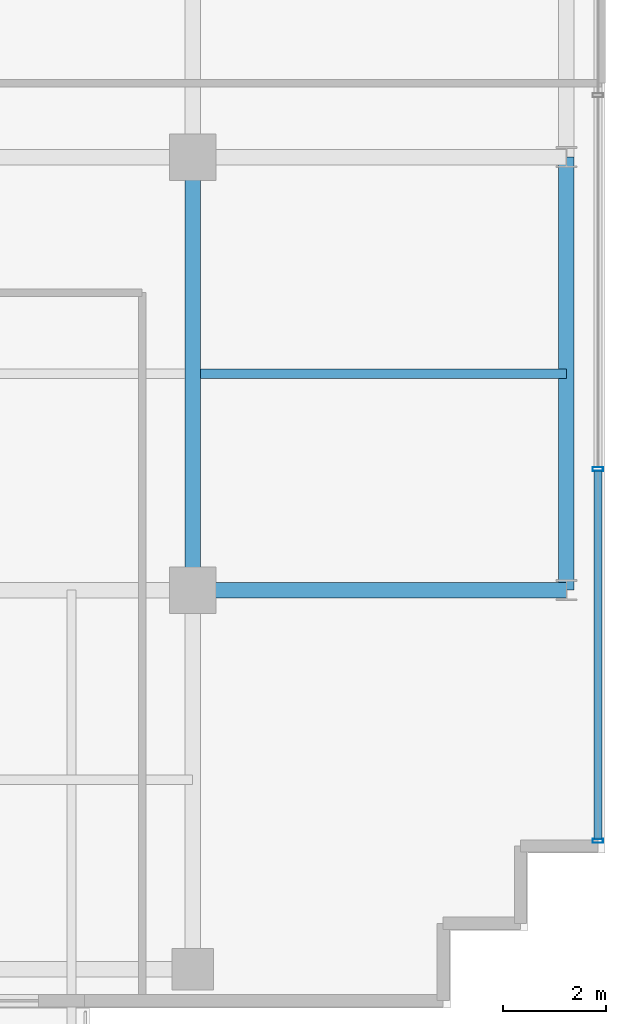
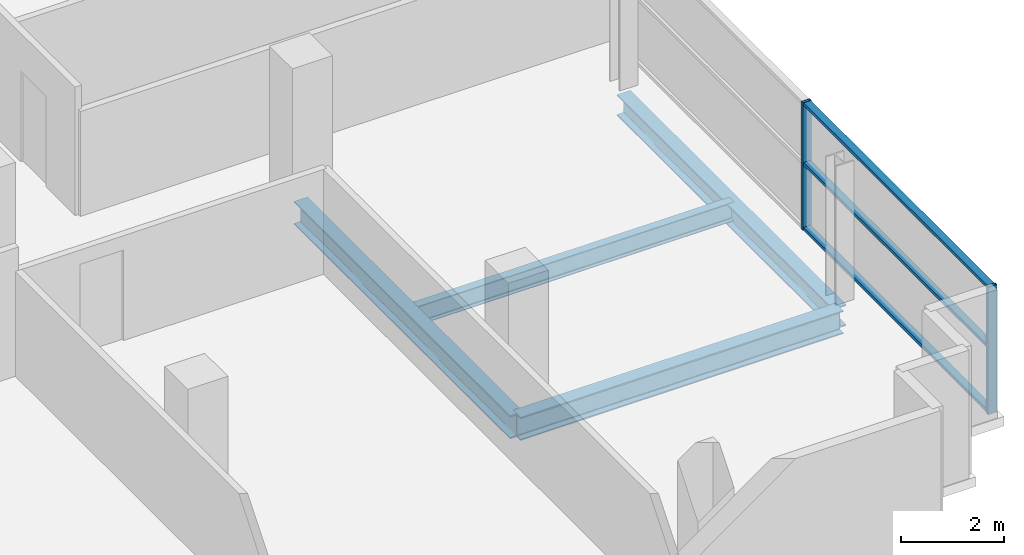
# One storey, part 7 of 22: 5 members, 4 beams, 1 element without a shape of its own.
"""IFC4 building model written with IfcOpenShell, lengths in metres."""

from ifc_helpers import new_model, si_unit, direction, frame, origin, origin_2d, place, context, subcontext, project, spatial, hollow_rectangle, i_section, extrude, source, transform, mapped, material, layer, layer_set, material_profile, profile_set, type_object, element, aggregate, save


model = new_model("IFC4")

# Units and contexts
model_context = context("Model", 3, precision=1e-05, world=origin(), true_north=direction((0.0, 1.0)))
body_context = subcontext(model_context, "Body", "Model", "MODEL_VIEW")
ifc_project = project(units=[si_unit("LENGTHUNIT", "METRE"), si_unit("AREAUNIT", "SQUARE_METRE"), si_unit("VOLUMEUNIT", "CUBIC_METRE"), si_unit("PLANEANGLEUNIT", "RADIAN"), si_unit("MASSUNIT", "GRAM", prefix="KILO")], contexts=[model_context])

# Site, building, storey
site_placement = place(None, origin())
site = spatial("IfcSite", under=ifc_project, at=site_placement, CompositionType="ELEMENT")
building_placement = place(site_placement, origin())
building = spatial("IfcBuilding", under=site, at=building_placement, Name="Zarnakvel Exchange Tower", CompositionType="ELEMENT")
storey_placement = place(building_placement, frame((0.0, 0.0, 136.300048828125)))
storey = spatial("IfcBuildingStorey", under=building, at=storey_placement, Name="L38", CompositionType="ELEMENT", Elevation=136.300048828125)

# Beams
ifc_material_1 = material(Name="Steel S355", Category="steel")
ifc_material_profile_1 = material_profile(ifc_material_1, i_section(OverallWidth=0.18994140625, OverallDepth=0.449951171875, WebThickness=0.009521484375, FlangeThickness=0.0146484375, FilletRadius=0.02099609375, at=origin_2d()))
ifc_profile_set_1 = profile_set([ifc_material_profile_1], Name="Steel S355")
beam_type_1 = type_object("IfcBeamType", Name="B-05", PredefinedType="JOIST", material=ifc_profile_set_1)
beam_1_placement = place(storey_placement, frame((21.75, -5.39990234375, -0.449951171875), z_axis=(1.0, 0.0, 0.0), x_axis=(0.0, 1.0, 0.0)))
element("IfcBeam", 1, at=beam_1_placement, inside=storey, type_object=beam_type_1, Name="L38 Composite Floor Secondary Joist", PredefinedType="JOIST", context=body_context, shape_type="SweptSolid", body=[
    extrude(i_section(OverallWidth=0.18994140625, OverallDepth=0.449951171875, WebThickness=0.009521484375, FlangeThickness=0.0146484375, FilletRadius=0.02099609375, at=origin_2d()), origin(), (0.0, 0.0, 1.0), 7.10009765625),
])
ifc_material_profile_2 = material_profile(ifc_material_1, i_section(OverallWidth=0.300048828125, OverallDepth=0.550048828125, WebThickness=0.014892578125, FlangeThickness=0.029052734375, FilletRadius=0.027099609375, at=origin_2d()))
ifc_profile_set_2 = profile_set([ifc_material_profile_2], Name="Steel S355")
beam_type_2 = type_object("IfcBeamType", Name="G-05", PredefinedType="BEAM", material=ifc_profile_set_2)
beam_2_placement = place(storey_placement, frame((21.60009765625, -9.60009765625, -0.5), z_axis=(1.0, 0.0, 0.0), x_axis=(0.0, 1.0, 0.0)))
element("IfcBeam", 2, at=beam_2_placement, inside=storey, type_object=beam_type_2, Name="L38 Tower E-W Frame Beam", PredefinedType="BEAM", context=body_context, shape_type="SweptSolid", body=[
    extrude(i_section(OverallWidth=0.300048828125, OverallDepth=0.550048828125, WebThickness=0.014892578125, FlangeThickness=0.029052734375, FilletRadius=0.027099609375, at=origin_2d()), origin(), (0.0, 0.0, 1.0), 7.25),
])
beam_3_placement = place(storey_placement, frame((21.60009765625, -9.60009765625, -0.5), z_axis=(0.0, 1.0, 0.0), x_axis=(-1.0, 0.0, 0.0)))
element("IfcBeam", 3, at=beam_3_placement, inside=storey, type_object=beam_type_2, Name="L38 Tower N-S Frame Beam", PredefinedType="BEAM", context=body_context, shape_type="SweptSolid", body=[
    extrude(i_section(OverallWidth=0.300048828125, OverallDepth=0.550048828125, WebThickness=0.014892578125, FlangeThickness=0.029052734375, FilletRadius=0.027099609375, at=origin_2d()), origin(), (0.0, 0.0, 1.0), 8.400146484375),
])
ifc_material_profile_3 = material_profile(ifc_material_1, i_section(OverallWidth=0.300048828125, OverallDepth=0.5, WebThickness=0.014404296875, FlangeThickness=0.028076171875, FilletRadius=0.027099609375, at=origin_2d()))
ifc_profile_set_3 = profile_set([ifc_material_profile_3], Name="Steel S355")
beam_type_3 = type_object("IfcBeamType", Name="SP-02", PredefinedType="SPANDREL", material=ifc_profile_set_3)
beam_4_placement = place(storey_placement, frame((28.85009765625, -9.60009765625, -0.47509765625), z_axis=(0.0, 1.0, 0.0), x_axis=(-1.0, 0.0, 0.0)))
element("IfcBeam", 4, at=beam_4_placement, inside=storey, type_object=beam_type_3, Name="L38 Tower N-S Frame Beam", PredefinedType="SPANDREL", context=body_context, shape_type="SweptSolid", body=[
    extrude(i_section(OverallWidth=0.300048828125, OverallDepth=0.5, WebThickness=0.014404296875, FlangeThickness=0.028076171875, FilletRadius=0.027099609375, at=origin_2d()), origin(), (0.0, 0.0, 1.0), 8.400146484375),
])

# Curtain wall, members
ifc_material_2 = material(Name="Architectural Bronze Anodised Aluminium", Category="aluminium")
ifc_layer = layer(ifc_material_2, 0.199951171875)
ifc_layer_set = layer_set([ifc_layer], Name="Architectural Bronze Anodised Aluminium")
curtain_wall_type = type_object("IfcCurtainWallType", Name="CW-04", PredefinedType="NOTDEFINED", material=ifc_layer_set)
curtain_wall_placement = place(storey_placement, origin())
curtain_wall = element("IfcCurtainWall", 5, at=curtain_wall_placement, inside=storey, type_object=curtain_wall_type, Name="L38 Curtain Wall CW-L38-E1 (CW-04)", PredefinedType="NOTDEFINED")
ifc_material_profile_4 = material_profile(ifc_material_2, hollow_rectangle(XDim=0.199951171875, YDim=0.074951171875, WallThickness=0.0048828125, at=origin_2d()))
ifc_profile_set_4 = profile_set([ifc_material_profile_4], Name="Architectural Bronze Anodised Aluminium")
member_type_1 = type_object("IfcMemberType", Name="CWM-04", PredefinedType="MULLION", material=ifc_profile_set_4)
shared_shape_1 = source(origin(), body_context, "Body", "SweptSolid", [
    extrude(hollow_rectangle(XDim=0.199951171875, YDim=0.074951171875, WallThickness=0.0048828125, at=origin_2d()), origin(), (0.0, 0.0, 1.0), 3.030029296875),
])
member_1_placement = place(storey_placement, frame((29.4599609375, -14.46240234375, 0.0), z_axis=(0.0, 0.0, 1.0), x_axis=(-1.0, 0.0, 0.0)))
member_1 = element("IfcMember", 6, at=member_1_placement, type_object=member_type_1, Name="CW-04 mullion 1", PredefinedType="MULLION", context=body_context, shape_type="MappedRepresentation", body=[
    mapped(shared_shape_1, transform((0.0, 0.0, 0.0), x_axis=(1.0, 0.0, 0.0), y_axis=(0.0, 1.0, 0.0), z_axis=(0.0, 0.0, 1.0), scale=1.0)),
])
member_2_placement = place(storey_placement, frame((29.4599609375, -7.25, 0.0), z_axis=(0.0, 0.0, 1.0), x_axis=(-1.0, 0.0, 0.0)))
member_2 = element("IfcMember", 7, at=member_2_placement, type_object=member_type_1, Name="CW-04 mullion 2", PredefinedType="MULLION", context=body_context, shape_type="MappedRepresentation", body=[
    mapped(shared_shape_1, transform((0.0, 0.0, 0.0), x_axis=(1.0, 0.0, 0.0), y_axis=(0.0, 1.0, 0.0), z_axis=(0.0, 0.0, 1.0), scale=1.0)),
])
ifc_material_profile_5 = material_profile(ifc_material_2, hollow_rectangle(XDim=0.159912109375, YDim=0.074951171875, WallThickness=0.00390625, at=origin_2d()))
ifc_profile_set_5 = profile_set([ifc_material_profile_5], Name="Architectural Bronze Anodised Aluminium")
member_type_2 = type_object("IfcMemberType", Name="CWT-04", PredefinedType="USERDEFINED", material=ifc_profile_set_5)
shared_shape_2 = source(origin(), body_context, "Body", "SweptSolid", [
    extrude(hollow_rectangle(XDim=0.159912109375, YDim=0.074951171875, WallThickness=0.00390625, at=origin_2d()), origin(), (0.0, 0.0, 1.0), 7.137451171875),
])
member_3_placement = place(storey_placement, frame((29.4599609375, -14.425048828125, 0.037353515625), z_axis=(0.0, 1.0, 0.0), x_axis=(-1.0, 0.0, 0.0)))
member_3 = element("IfcMember", 8, at=member_3_placement, type_object=member_type_2, Name="CW-04 transom 1.1", ObjectType="TRANSOM", PredefinedType="USERDEFINED", context=body_context, shape_type="MappedRepresentation", body=[
    mapped(shared_shape_2, transform((0.0, 0.0, 0.0), x_axis=(1.0, 0.0, 0.0), y_axis=(0.0, 1.0, 0.0), z_axis=(0.0, 0.0, 1.0), scale=1.0)),
])
member_4_placement = place(storey_placement, frame((29.4599609375, -14.425048828125, 1.575439453125), z_axis=(0.0, 1.0, 0.0), x_axis=(-1.0, 0.0, 0.0)))
member_4 = element("IfcMember", 9, at=member_4_placement, type_object=member_type_2, Name="CW-04 transom 1.2", ObjectType="TRANSOM", PredefinedType="USERDEFINED", context=body_context, shape_type="MappedRepresentation", body=[
    mapped(shared_shape_2, transform((0.0, 0.0, 0.0), x_axis=(1.0, 0.0, 0.0), y_axis=(0.0, 1.0, 0.0), z_axis=(0.0, 0.0, 1.0), scale=1.0)),
])
member_5_placement = place(storey_placement, frame((29.4599609375, -14.425048828125, 2.992431640625), z_axis=(0.0, 1.0, 0.0), x_axis=(-1.0, 0.0, 0.0)))
member_5 = element("IfcMember", 10, at=member_5_placement, type_object=member_type_2, Name="CW-04 transom 1.3", ObjectType="TRANSOM", PredefinedType="USERDEFINED", context=body_context, shape_type="MappedRepresentation", body=[
    mapped(shared_shape_2, transform((0.0, 0.0, 0.0), x_axis=(1.0, 0.0, 0.0), y_axis=(0.0, 1.0, 0.0), z_axis=(0.0, 0.0, 1.0), scale=1.0)),
])
aggregate(curtain_wall, [member_1, member_2, member_3, member_4, member_5])

save(model, "model.ifc")
